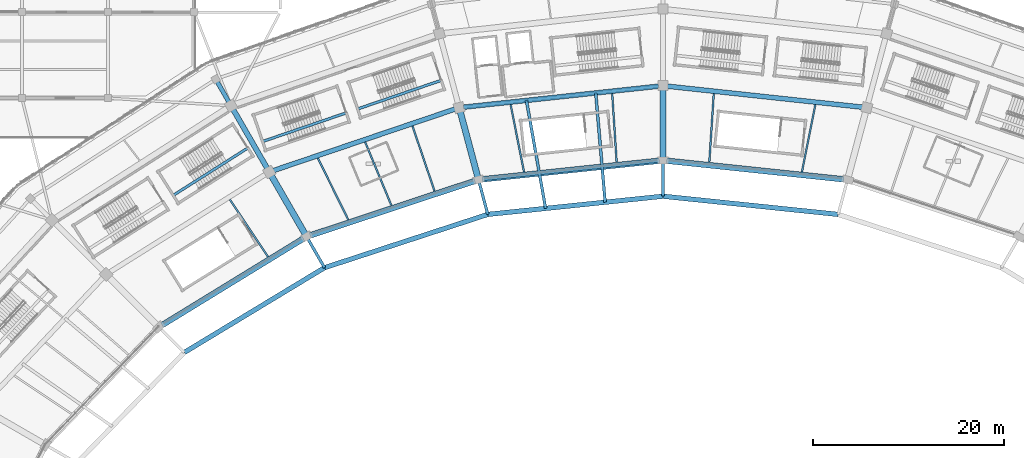
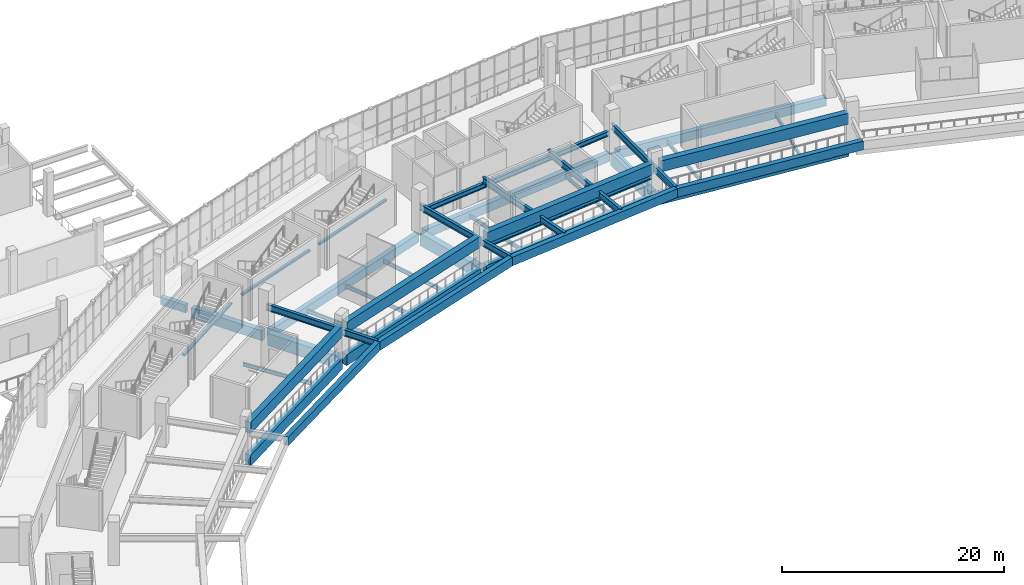
# One storey, part 57 of 179: 38 beams.
"""IFC4 building model written with IfcOpenShell, lengths in metres."""

from ifc_helpers import new_model, si_unit, direction, frame, origin, origin_2d, place, context, subcontext, project, spatial, rectangle, i_section, extrude, material, material_profile, profile_set, type_object, element, save


model = new_model("IFC4")

# Units and contexts
model_context = context("Model", 3, precision=1e-05, world=origin(), true_north=direction((0.0, 1.0)))
body_context = subcontext(model_context, "Body", "Model", "MODEL_VIEW")
ifc_project = project(units=[si_unit("LENGTHUNIT", "METRE"), si_unit("AREAUNIT", "SQUARE_METRE"), si_unit("VOLUMEUNIT", "CUBIC_METRE"), si_unit("PLANEANGLEUNIT", "RADIAN"), si_unit("MASSUNIT", "GRAM", prefix="KILO")], contexts=[model_context])

# Site, building, storey
site_placement = place(None, origin())
site = spatial("IfcSite", under=ifc_project, at=site_placement, CompositionType="ELEMENT")
building_placement = place(site_placement, origin())
building = spatial("IfcBuilding", under=site, at=building_placement, Name="Zevraka Park Crest Stadium", CompositionType="ELEMENT")
storey_placement = place(building_placement, frame((0.0, 0.0, 10.199951171875)))
storey = spatial("IfcBuildingStorey", under=building, at=storey_placement, Name="L02", CompositionType="ELEMENT", Elevation=10.199951171875)

# Beams
ifc_material_1 = material(Name="Concrete C40/50", Category="concrete")
ifc_material_profile_1 = material_profile(ifc_material_1, rectangle(XDim=0.64990234375, YDim=1.35009765625, at=origin_2d()), Name="RC 1350x650")
ifc_profile_set_1 = profile_set([ifc_material_profile_1], Name="Concrete C40/50")
beam_type_1 = type_object("IfcBeamType", Name="BG01", PredefinedType="BEAM", material=ifc_profile_set_1)
beam_1_placement = place(storey_placement, frame((112.0, 151.800048828125, -0.68505859375), z_axis=(0.0, 1.0, 0.0), x_axis=(-1.0, 0.0, 0.0)))
element("IfcBeam", 1, at=beam_1_placement, inside=storey, type_object=beam_type_1, Name="Radial Girder BG01 L02-BC-06", PredefinedType="BEAM", context=body_context, shape_type="SweptSolid", body=[
    extrude(rectangle(XDim=0.64990234375, YDim=1.35009765625, at=origin_2d()), origin(), (0.0, 0.0, 1.0), 7.199951171875),
])
beam_2_placement = place(storey_placement, frame((92.639892578125, 149.762939453125, -0.68505859375), z_axis=(-0.258747385792, 0.965945024495, 0.0), x_axis=(-0.965945024495, -0.258747385792, 0.0)))
element("IfcBeam", 2, at=beam_2_placement, inside=storey, type_object=beam_type_1, Name="Radial Girder BG01 L02-BC-07", PredefinedType="BEAM", context=body_context, shape_type="SweptSolid", body=[
    extrude(rectangle(XDim=0.64990234375, YDim=1.35009765625, at=origin_2d()), origin(), (0.0, 0.0, 1.0), 7.19921875),
])
beam_3_placement = place(storey_placement, frame((74.60009765625, 143.7890625, -0.68505859375), z_axis=(-0.500041424909, 0.866001485781, 0.0), x_axis=(-0.866001485781, -0.500041424909, 0.0)))
element("IfcBeam", 3, at=beam_3_placement, inside=storey, type_object=beam_type_1, Name="Radial Girder BG01 L02-BC-08", PredefinedType="BEAM", context=body_context, shape_type="SweptSolid", body=[
    extrude(rectangle(XDim=0.64990234375, YDim=1.35009765625, at=origin_2d()), origin(), (0.0, 0.0, 1.0), 7.19970703125),
])
ifc_material_2 = material(Name="Concrete C40/50", Category="concrete")
ifc_material_profile_2 = material_profile(ifc_material_2, rectangle(XDim=0.550048828125, YDim=1.10009765625, at=origin_2d()), Name="RC 1100x550")
ifc_profile_set_2 = profile_set([ifc_material_profile_2], Name="Concrete C40/50")
beam_type_2 = type_object("IfcBeamType", Name="BG02", PredefinedType="BEAM", material=ifc_profile_set_2)
beam_4_placement = place(storey_placement, frame((70.699951171875, 150.5439453125, -0.56005859375), z_axis=(-0.500031859608, 0.86600700885, 0.0), x_axis=(-0.86600700885, -0.500031859608, 0.0)))
element("IfcBeam", 4, at=beam_4_placement, inside=storey, type_object=beam_type_2, Name="Radial Girder BG02 L02-CD-08", PredefinedType="BEAM", context=body_context, shape_type="SweptSolid", body=[
    extrude(rectangle(XDim=0.550048828125, YDim=1.10009765625, at=origin_2d()), origin(), (0.0, 0.0, 1.0), 7.3994140625),
])
ifc_material_3 = material(Name="Concrete C40/50", Category="concrete")
ifc_material_profile_3 = material_profile(ifc_material_3, rectangle(XDim=0.449951171875, YDim=0.85009765625, at=origin_2d()), Name="RC 850x450")
ifc_profile_set_3 = profile_set([ifc_material_profile_3], Name="Concrete C40/50")
beam_type_3 = type_object("IfcBeamType", Name="BG03", PredefinedType="BEAM", material=ifc_profile_set_3)
beam_5_placement = place(storey_placement, frame((66.699951171875, 157.471923828125, -0.43505859375), z_axis=(-0.500128937424, 0.865950948929, 0.0), x_axis=(-0.865950948929, -0.500128937424, 0.0)))
element("IfcBeam", 5, at=beam_5_placement, inside=storey, type_object=beam_type_3, Name="Radial Girder BG03 L02-DE-08", PredefinedType="BEAM", context=body_context, shape_type="SweptSolid", body=[
    extrude(rectangle(XDim=0.449951171875, YDim=0.85009765625, at=origin_2d()), origin(), (0.0, 0.0, 1.0), 2.599365234375),
])
ifc_material_4 = material(Name="Steel S355", Category="steel")
ifc_material_profile_4 = material_profile(ifc_material_4, i_section(OverallWidth=0.300048828125, OverallDepth=0.699951171875, WebThickness=0.01708984375, FlangeThickness=0.031982421875, at=origin_2d()), Name="HEB 700")
ifc_profile_set_4 = profile_set([ifc_material_profile_4], Name="Steel S355")
beam_type_4 = type_object("IfcBeamType", Name="BG06", PredefinedType="BEAM", material=ifc_profile_set_4)
beam_6_placement = place(storey_placement, frame((112.0, 159.300048828125, 2.670166015625), z_axis=(0.0, -1.0, 0.0), x_axis=(1.0, 0.0, 0.0)))
element("IfcBeam", 6, at=beam_6_placement, inside=storey, type_object=beam_type_4, Name="Upper Tier Back-Spanned Cantilever Girder BG06 06", PredefinedType="BEAM", context=body_context, shape_type="SweptSolid", body=[
    extrude(i_section(OverallWidth=0.300048828125, OverallDepth=0.699951171875, WebThickness=0.01708984375, FlangeThickness=0.031982421875, at=origin_2d()), origin(), (0.0, 0.0, 1.0), 11.550048828125),
])
beam_7_placement = place(storey_placement, frame((104.970947265625, 158.54296875, 2.670166015625), z_axis=(0.086027587619, -0.996292755252, 0.0), x_axis=(0.996292755252, 0.086027587619, 0.0)))
element("IfcBeam", 7, at=beam_7_placement, inside=storey, type_object=beam_type_4, Name="Upper Tier Vomitory Cantilever Girder BG06 06-V1", PredefinedType="BEAM", context=body_context, shape_type="SweptSolid", body=[
    extrude(i_section(OverallWidth=0.300048828125, OverallDepth=0.699951171875, WebThickness=0.01708984375, FlangeThickness=0.031982421875, at=origin_2d()), origin(), (0.0, 0.0, 1.0), 11.46240234375),
])
beam_8_placement = place(storey_placement, frame((97.72802734375, 157.763916015625, 2.670166015625), z_axis=(0.174809447022, -0.984602283784, 0.0), x_axis=(0.984602283784, 0.174809447022, 0.0)))
element("IfcBeam", 8, at=beam_8_placement, inside=storey, type_object=beam_type_4, Name="Upper Tier Vomitory Cantilever Girder BG06 06-V2", PredefinedType="BEAM", context=body_context, shape_type="SweptSolid", body=[
    extrude(i_section(OverallWidth=0.300048828125, OverallDepth=0.699951171875, WebThickness=0.01708984375, FlangeThickness=0.031982421875, at=origin_2d()), origin(), (0.0, 0.0, 1.0), 11.46337890625),
])
beam_9_placement = place(storey_placement, frame((90.698974609375, 157.007080078125, 2.670166015625), z_axis=(0.258858286006, -0.965915310866, 0.0), x_axis=(0.965915310866, 0.258858286006, 0.0)))
element("IfcBeam", 9, at=beam_9_placement, inside=storey, type_object=beam_type_4, Name="Upper Tier Back-Spanned Cantilever Girder BG06 07", PredefinedType="BEAM", context=body_context, shape_type="SweptSolid", body=[
    extrude(i_section(OverallWidth=0.300048828125, OverallDepth=0.699951171875, WebThickness=0.01708984375, FlangeThickness=0.031982421875, at=origin_2d()), origin(), (0.0, 0.0, 1.0), 11.55078125),
])
beam_10_placement = place(storey_placement, frame((70.85009765625, 150.283935546875, 2.670166015625), z_axis=(0.499981051965, -0.866036343161, 0.0), x_axis=(0.866036343161, 0.499981051965, 0.0)))
element("IfcBeam", 10, at=beam_10_placement, inside=storey, type_object=beam_type_4, Name="Upper Tier Back-Spanned Cantilever Girder BG06 08", PredefinedType="BEAM", context=body_context, shape_type="SweptSolid", body=[
    extrude(i_section(OverallWidth=0.300048828125, OverallDepth=0.699951171875, WebThickness=0.01708984375, FlangeThickness=0.031982421875, at=origin_2d()), origin(), (0.0, 0.0, 1.0), 11.55029296875),
])
ifc_material_5 = material(Name="Concrete C40/50", Category="concrete")
ifc_material_profile_5 = material_profile(ifc_material_5, rectangle(XDim=0.60009765625, YDim=1.199951171875, at=origin_2d()), Name="RC 1200x600")
ifc_profile_set_5 = profile_set([ifc_material_profile_5], Name="Concrete C40/50")
beam_type_5 = type_object("IfcBeamType", Name="RB01", PredefinedType="BEAM", material=ifc_profile_set_5)
for number, where, z_axis, x_axis, name in (
    (11, (130.904052734375, 149.512939453125, -0.60986328125), (-0.994522746434, 0.1045203656, 0.0), (-0.1045203656, -0.994522746434, 0.0), "Ring Beam RB01 L02-B-05"),
    (12, (111.6220703125, 151.4599609375, -0.60986328125), (-0.994522746434, -0.1045203656, 0.0), (0.1045203656, -0.994522746434, 0.0), "Ring Beam RB01 L02-B-06"),
):
    element("IfcBeam", number, at=place(storey_placement, frame(where, z_axis=z_axis, x_axis=x_axis)), inside=storey, type_object=beam_type_5, Name=name, PredefinedType="BEAM", context=body_context, shape_type="SweptSolid", body=[
        extrude(rectangle(XDim=0.60009765625, YDim=1.199951171875, at=origin_2d()), origin(), (0.0, 0.0, 1.0), 18.628173828125),
    ])
beam_11_placement = place(storey_placement, frame((92.35693359375, 149.35400390625, -0.60986328125), z_axis=(-0.949383863235, -0.314118258349, 0.0), x_axis=(0.314118258349, -0.949383863235, 0.0)))
element("IfcBeam", 13, at=beam_11_placement, inside=storey, type_object=beam_type_5, Name="Ring Beam RB01 L02-B-07", PredefinedType="BEAM", context=body_context, shape_type="SweptSolid", body=[
    extrude(rectangle(XDim=0.60009765625, YDim=1.199951171875, at=origin_2d()), origin(), (0.0, 0.0, 1.0), 18.165283203125),
])
beam_12_placement = place(storey_placement, frame((74.426025390625, 143.330078125, -0.60986328125), z_axis=(-0.852632623571, -0.522510869956, 0.0), x_axis=(0.522510869956, -0.852632623571, 0.0)))
element("IfcBeam", 14, at=beam_12_placement, inside=storey, type_object=beam_type_5, Name="Ring Beam RB01 L02-B-08", PredefinedType="BEAM", context=body_context, shape_type="SweptSolid", body=[
    extrude(rectangle(XDim=0.60009765625, YDim=1.199951171875, at=origin_2d()), origin(), (0.0, 0.0, 1.0), 17.335693359375),
])
for number, where, z_axis, x_axis, name in (
    (15, (130.864013671875, 149.51708984375, 2.965087890625), (-0.994520732881, 0.104539523004, 0.0), (-0.104539523004, -0.994520732881, 0.0), "Upper Tier Fulcrum Raker Ring Beam RB01 05"),
    (16, (111.58203125, 151.4560546875, 2.965087890625), (-0.994520732881, -0.104539523004, 0.0), (0.104539523004, -0.994520732881, 0.0), "Upper Tier Fulcrum Raker Ring Beam RB01 06"),
):
    element("IfcBeam", number, at=place(storey_placement, frame(where, z_axis=z_axis, x_axis=x_axis)), inside=storey, type_object=beam_type_5, Name=name, PredefinedType="BEAM", context=body_context, shape_type="SweptSolid", body=[
        extrude(rectangle(XDim=0.60009765625, YDim=1.199951171875, at=origin_2d()), origin(), (0.0, 0.0, 1.0), 18.547607421875),
    ])
beam_13_placement = place(storey_placement, frame((92.319091796875, 149.341064453125, 2.965087890625), z_axis=(-0.949397677667, -0.314076502845, 0.0), x_axis=(0.314076502845, -0.949397677667, 0.0)))
element("IfcBeam", 17, at=beam_13_placement, inside=storey, type_object=beam_type_5, Name="Upper Tier Fulcrum Raker Ring Beam RB01 07", PredefinedType="BEAM", context=body_context, shape_type="SweptSolid", body=[
    extrude(rectangle(XDim=0.60009765625, YDim=1.199951171875, at=origin_2d()), origin(), (0.0, 0.0, 1.0), 18.085205078125),
])
beam_14_placement = place(storey_placement, frame((74.39208984375, 143.31005859375, 2.965087890625), z_axis=(-0.852592509161, -0.522576322964, 0.0), x_axis=(0.522576322964, -0.852592509161, 0.0)))
element("IfcBeam", 18, at=beam_14_placement, inside=storey, type_object=beam_type_5, Name="Upper Tier Fulcrum Raker Ring Beam RB01 08", PredefinedType="BEAM", context=body_context, shape_type="SweptSolid", body=[
    extrude(rectangle(XDim=0.60009765625, YDim=1.199951171875, at=origin_2d()), origin(), (0.0, 0.0, 1.0), 17.2568359375),
])
ifc_material_6 = material(Name="Concrete C40/50", Category="concrete")
ifc_material_profile_6 = material_profile(ifc_material_6, rectangle(XDim=0.5, YDim=0.949951171875, at=origin_2d()), Name="RC 950x500")
ifc_profile_set_6 = profile_set([ifc_material_profile_6], Name="Concrete C40/50")
beam_type_6 = type_object("IfcBeamType", Name="RB02", PredefinedType="BEAM", material=ifc_profile_set_6)
for number, where, z_axis, x_axis, name in (
    (19, (132.923095703125, 157.048095703125, -0.48486328125), (-0.994259477334, 0.106995755668, 0.0), (-0.106995755668, -0.994259477334, 0.0), "Ring Beam RB02 L02-C-05"),
    (20, (111.6220703125, 159.259033203125, -0.48486328125), (-0.994259477334, -0.106995755668, 0.0), (0.106995755668, -0.994259477334, 0.0), "Ring Beam RB02 L02-C-06"),
):
    element("IfcBeam", number, at=place(storey_placement, frame(where, z_axis=z_axis, x_axis=x_axis)), inside=storey, type_object=beam_type_6, Name=name, PredefinedType="BEAM", context=body_context, shape_type="SweptSolid", body=[
        extrude(rectangle(XDim=0.5, YDim=0.949951171875, at=origin_2d()), origin(), (0.0, 0.0, 1.0), 20.663818359375),
    ])
beam_15_placement = place(storey_placement, frame((90.339111328125, 156.885009765625, -0.48486328125), z_axis=(-0.947147952377, -0.320797064058, 0.0), x_axis=(0.320797064058, -0.947147952377, 0.0)))
element("IfcBeam", 21, at=beam_15_placement, inside=storey, type_object=beam_type_6, Name="Ring Beam RB02 L02-C-07", PredefinedType="BEAM", context=body_context, shape_type="SweptSolid", body=[
    extrude(rectangle(XDim=0.5, YDim=0.949951171875, at=origin_2d()), origin(), (0.0, 0.0, 1.0), 20.196533203125),
])
for number, where, z_axis, x_axis, name in (
    (22, (130.301025390625, 145.85107421875, 2.400146484375), (-0.994659601054, 0.103209873713, 0.0), (-0.103209873713, -0.994659601054, 0.0), "Upper Tier Front Nose Ring Beam RB02 05"),
    (23, (111.989990234375, 147.7490234375, 2.400146484375), (-0.994659601054, -0.103209873713, 0.0), (0.103209873713, -0.994659601054, 0.0), "Upper Tier Front Nose Ring Beam RB02 06"),
):
    element("IfcBeam", number, at=place(storey_placement, frame(where, z_axis=z_axis, x_axis=x_axis)), inside=storey, type_object=beam_type_6, Name=name, PredefinedType="BEAM", context=body_context, shape_type="SweptSolid", body=[
        extrude(rectangle(XDim=0.5, YDim=0.949951171875, at=origin_2d()), origin(), (0.0, 0.0, 1.0), 18.38916015625),
    ])
beam_16_placement = place(storey_placement, frame((93.678955078125, 145.846923828125, 2.400146484375), z_axis=(-0.950644645156, -0.31028174074, 0.0), x_axis=(0.31028174074, -0.950644645156, 0.0)))
element("IfcBeam", 24, at=beam_16_placement, inside=storey, type_object=beam_type_6, Name="Upper Tier Front Nose Ring Beam RB02 07", PredefinedType="BEAM", context=body_context, shape_type="SweptSolid", body=[
    extrude(rectangle(XDim=0.5, YDim=0.949951171875, at=origin_2d()), origin(), (0.0, 0.0, 1.0), 17.9287109375),
])
beam_17_placement = place(storey_placement, frame((76.615966796875, 140.27587890625, 2.400146484375), z_axis=(-0.85571184536, -0.517452642964, 0.0), x_axis=(0.517452642964, -0.85571184536, 0.0)))
element("IfcBeam", 25, at=beam_17_placement, inside=storey, type_object=beam_type_6, Name="Upper Tier Front Nose Ring Beam RB02 08", PredefinedType="BEAM", context=body_context, shape_type="SweptSolid", body=[
    extrude(rectangle(XDim=0.5, YDim=0.949951171875, at=origin_2d()), origin(), (0.0, 0.0, 1.0), 17.102783203125),
])
ifc_material_7 = material(Name="Steel S355", Category="steel")
ifc_material_profile_7 = material_profile(ifc_material_7, i_section(OverallWidth=0.300048828125, OverallDepth=0.550048828125, WebThickness=0.014892578125, FlangeThickness=0.029052734375, at=origin_2d()), Name="HEB 550")
ifc_profile_set_7 = profile_set([ifc_material_profile_7], Name="Steel S355")
beam_type_7 = type_object("IfcBeamType", Name="RB04", PredefinedType="BEAM", material=ifc_profile_set_7)
beam_18_placement = place(storey_placement, frame((111.60205078125, 151.4580078125, 2.047119140625), z_axis=(-0.994521059156, -0.104536418994, 0.0), x_axis=(0.104536418994, -0.994521059156, 0.0)))
element("IfcBeam", 26, at=beam_18_placement, inside=storey, type_object=beam_type_7, Name="Vomitory Cantilever Fulcrum Support Beam RB04 06", PredefinedType="BEAM", context=body_context, shape_type="SweptSolid", body=[
    extrude(i_section(OverallWidth=0.300048828125, OverallDepth=0.550048828125, WebThickness=0.014892578125, FlangeThickness=0.029052734375, at=origin_2d()), origin(), (0.0, 0.0, 1.0), 18.587890625),
])
beam_19_placement = place(storey_placement, frame((111.60205078125, 159.257080078125, 2.047119140625), z_axis=(-0.99425740098, -0.107015048457, 0.0), x_axis=(0.107015048457, -0.99425740098, 0.0)))
element("IfcBeam", 27, at=beam_19_placement, inside=storey, type_object=beam_type_7, Name="Vomitory Cantilever Anchor Support Beam RB04 06", PredefinedType="BEAM", context=body_context, shape_type="SweptSolid", body=[
    extrude(i_section(OverallWidth=0.300048828125, OverallDepth=0.550048828125, WebThickness=0.014892578125, FlangeThickness=0.029052734375, at=origin_2d()), origin(), (0.0, 0.0, 1.0), 20.62353515625),
])
ifc_material_8 = material(Name="Steel S355", Category="steel")
ifc_material_profile_8 = material_profile(ifc_material_8, i_section(OverallWidth=0.179931640625, OverallDepth=0.39990234375, WebThickness=0.008544921875, FlangeThickness=0.013427734375, at=origin_2d()), Name="IPE 400")
ifc_profile_set_8 = profile_set([ifc_material_profile_8], Name="Steel S355")
beam_type_8 = type_object("IfcBeamType", Name="SJ09", PredefinedType="JOIST", material=ifc_profile_set_8)
beam_20_placement = place(storey_placement, frame((126.52294921875, 150.2890625, -0.488037109375), z_axis=(0.195423881122, 0.980718872403, 0.0), x_axis=(-0.980718872403, 0.195423881122, 0.0)))
element("IfcBeam", 28, at=beam_20_placement, inside=storey, type_object=beam_type_8, Name="Floor Joist SJ09 L02-BC-05-1", PredefinedType="JOIST", context=body_context, shape_type="SweptSolid", body=[
    extrude(i_section(OverallWidth=0.179931640625, OverallDepth=0.39990234375, WebThickness=0.008544921875, FlangeThickness=0.013427734375, at=origin_2d()), origin(), (0.0, 0.0, 1.0), 7.189697265625),
])
for number, where, z_axis, x_axis, name in (
    (29, (116.841064453125, 151.30810546875, -0.488037109375), (0.06510119131, 0.997878667419, 0.0), (-0.997878667419, 0.06510119131, 0.0), "Floor Joist SJ09 L02-BC-05-3"),
    (30, (107.158935546875, 151.30810546875, -0.488037109375), (-0.06510119131, 0.997878667419, 0.0), (-0.997878667419, -0.06510119131, 0.0), "Floor Joist SJ09 L02-BC-06-1"),
):
    element("IfcBeam", number, at=place(storey_placement, frame(where, z_axis=z_axis, x_axis=x_axis)), inside=storey, type_object=beam_type_8, Name=name, PredefinedType="JOIST", context=body_context, shape_type="SweptSolid", body=[
        extrude(i_section(OverallWidth=0.179931640625, OverallDepth=0.39990234375, WebThickness=0.008544921875, FlangeThickness=0.013427734375, at=origin_2d()), origin(), (0.0, 0.0, 1.0), 7.18896484375),
    ])
beam_21_placement = place(storey_placement, frame((97.47705078125, 150.2890625, -0.488037109375), z_axis=(-0.195423881122, 0.980718872403, 0.0), x_axis=(-0.980718872403, -0.195423881122, 0.0)))
element("IfcBeam", 31, at=beam_21_placement, inside=storey, type_object=beam_type_8, Name="Floor Joist SJ09 L02-BC-06-3", PredefinedType="JOIST", context=body_context, shape_type="SweptSolid", body=[
    extrude(i_section(OverallWidth=0.179931640625, OverallDepth=0.39990234375, WebThickness=0.008544921875, FlangeThickness=0.013427734375, at=origin_2d()), origin(), (0.0, 0.0, 1.0), 7.189697265625),
])
beam_22_placement = place(storey_placement, frame((88.125, 148.284912109375, -0.488037109375), z_axis=(-0.321275682742, 0.946985710388, 0.0), x_axis=(-0.946985710388, -0.321275682742, 0.0)))
element("IfcBeam", 32, at=beam_22_placement, inside=storey, type_object=beam_type_8, Name="Floor Joist SJ09 L02-BC-07-1", PredefinedType="JOIST", context=body_context, shape_type="SweptSolid", body=[
    extrude(i_section(OverallWidth=0.179931640625, OverallDepth=0.39990234375, WebThickness=0.008544921875, FlangeThickness=0.013427734375, at=origin_2d()), origin(), (0.0, 0.0, 1.0), 7.190185546875),
])
beam_23_placement = place(storey_placement, frame((83.613037109375, 146.7919921875, -0.488037109375), z_axis=(-0.382700487371, 0.923872467912, 0.0), x_axis=(-0.923872467912, -0.382700487371, 0.0)))
element("IfcBeam", 33, at=beam_23_placement, inside=storey, type_object=beam_type_8, Name="Floor Joist SJ09 L02-BC-07-2", PredefinedType="JOIST", context=body_context, shape_type="SweptSolid", body=[
    extrude(i_section(OverallWidth=0.179931640625, OverallDepth=0.39990234375, WebThickness=0.008544921875, FlangeThickness=0.013427734375, at=origin_2d()), origin(), (0.0, 0.0, 1.0), 7.173095703125),
])
beam_24_placement = place(storey_placement, frame((79.10302734375, 145.297119140625, -0.488037109375), z_axis=(-0.442549118131, 0.896744265686, 0.0), x_axis=(-0.896744265686, -0.442549118131, 0.0)))
element("IfcBeam", 34, at=beam_24_placement, inside=storey, type_object=beam_type_8, Name="Floor Joist SJ09 L02-BC-07-3", PredefinedType="JOIST", context=body_context, shape_type="SweptSolid", body=[
    extrude(i_section(OverallWidth=0.179931640625, OverallDepth=0.39990234375, WebThickness=0.008544921875, FlangeThickness=0.013427734375, at=origin_2d()), origin(), (0.0, 0.0, 1.0), 7.1904296875),
])
beam_25_placement = place(storey_placement, frame((70.718017578125, 141.427001953125, -0.488037109375), z_axis=(-0.555366097338, 0.831605975164, 0.0), x_axis=(-0.831605975164, -0.555366097338, 0.0)))
element("IfcBeam", 35, at=beam_25_placement, inside=storey, type_object=beam_type_8, Name="Floor Joist SJ09 L02-BC-08-1", PredefinedType="JOIST", context=body_context, shape_type="SweptSolid", body=[
    extrude(i_section(OverallWidth=0.179931640625, OverallDepth=0.39990234375, WebThickness=0.008544921875, FlangeThickness=0.013427734375, at=origin_2d()), origin(), (0.0, 0.0, 1.0), 7.189697265625),
])
ifc_material_9 = material(Name="Concrete C40/50", Category="concrete")
ifc_material_profile_9 = material_profile(ifc_material_9, rectangle(XDim=0.280029296875, YDim=0.199951171875, at=origin_2d()), Name="RC 200x280")
ifc_profile_set_9 = profile_set([ifc_material_profile_9], Name="Concrete C40/50")
beam_type_9 = type_object("IfcBeamType", Name="SJ13", PredefinedType="JOIST", material=ifc_profile_set_9)
beam_26_placement = place(storey_placement, frame((88.80322265625, 159.855712890625, 2.300048828125), z_axis=(-0.946065027556, -0.323976794902, 0.0), x_axis=(0.323976794902, -0.946065027556, 0.0)))
element("IfcBeam", 36, at=beam_26_placement, inside=storey, type_object=beam_type_9, Name="Stair Upper-Flight Longitudinal Stringer SJ13 ST08-L02", PredefinedType="JOIST", context=body_context, shape_type="SweptSolid", body=[
    extrude(rectangle(XDim=0.280029296875, YDim=0.199951171875, at=origin_2d()), origin(), (0.0, 0.0, 1.0), 9.250244140625),
])
beam_27_placement = place(storey_placement, frame((68.595703125, 152.780517578125, 2.300048828125), z_axis=(-0.844404041367, -0.535706836734, 0.0), x_axis=(0.535706836734, -0.844404041367, 0.0)))
element("IfcBeam", 37, at=beam_27_placement, inside=storey, type_object=beam_type_9, Name="Stair Upper-Flight Longitudinal Stringer SJ13 ST09-L02", PredefinedType="JOIST", context=body_context, shape_type="SweptSolid", body=[
    extrude(rectangle(XDim=0.280029296875, YDim=0.199951171875, at=origin_2d()), origin(), (0.0, 0.0, 1.0), 9.25),
])
beam_28_placement = place(storey_placement, frame((78.869140625, 156.45458984375, 2.300048828125), z_axis=(-0.946070346954, -0.323961260978, 0.0), x_axis=(0.323961260978, -0.946070346954, 0.0)))
element("IfcBeam", 38, at=beam_28_placement, inside=storey, type_object=beam_type_9, Name="Stair Upper-Flight Longitudinal Stringer SJ13 ST27-L02", PredefinedType="JOIST", context=body_context, shape_type="SweptSolid", body=[
    extrude(rectangle(XDim=0.280029296875, YDim=0.199951171875, at=origin_2d()), origin(), (0.0, 0.0, 1.0), 9.249755859375),
])

save(model, "model.ifc")
